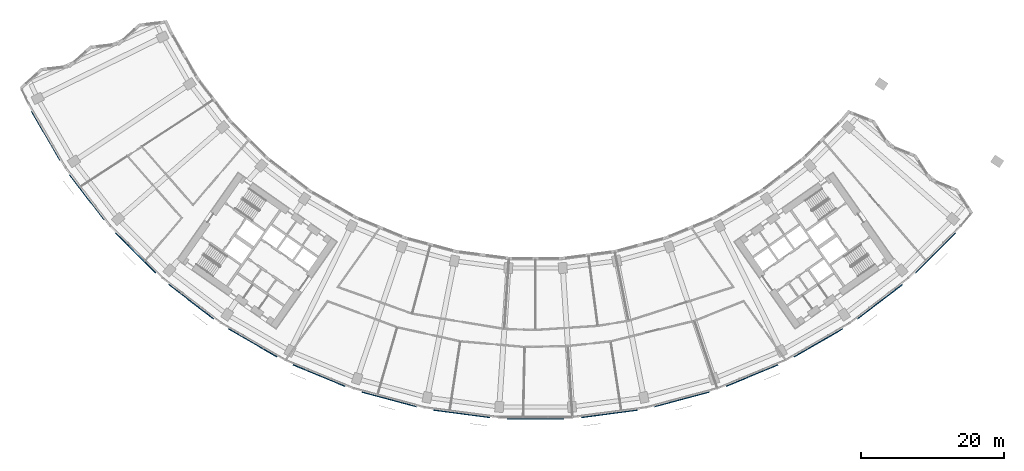
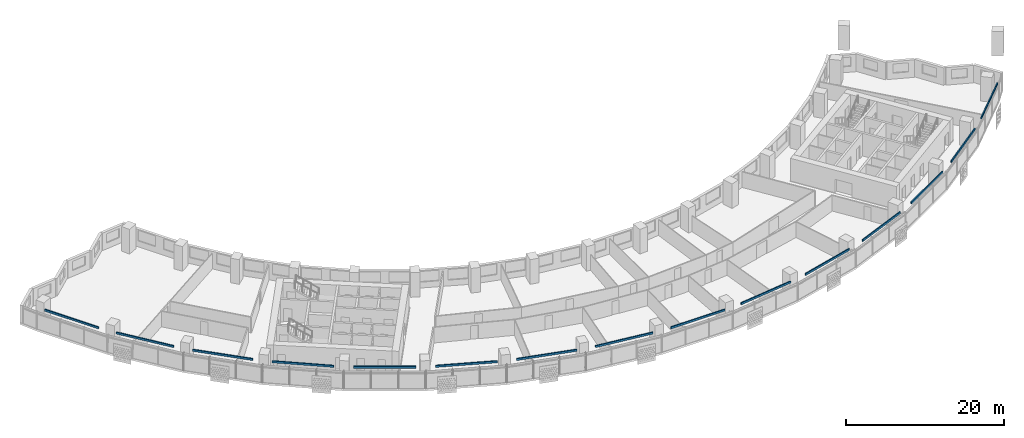
# One storey, part 9 of 29: 15 discrete accessories.
"""IFC4 building model written with IfcOpenShell, lengths in metres."""

import ifcopenshell
import ifcopenshell.guid

model = None  # the IFC model being written
_history = None  # IfcOwnerHistory: only IFC2X3 demands one
_inside = {}  # id of a spatial element -> (the spatial element, [elements in it])
_under = {}  # id of a project, library or spatial element -> (it, [spatial elements below it])
_declared = {}  # id of a project -> (the project, [libraries it declares])
_typed = {}  # id of a type object -> (the type object, [elements of that type])
_made_of = {}  # id of a material, layer set ... -> (it, [elements and type objects made of it])


def new_model(schema):
    """Start an empty IFC model of exactly this schema.

    Asked for "IFC4X3", IfcOpenShell would pick the latest addendum, in which some entities
    have other attributes; the version numbers below select the first issue.
    IFC2X3 requires an IfcOwnerHistory on every rooted entity: one is made here for all.
    """
    global model, _history
    if schema == "IFC4X3":
        model = ifcopenshell.file(schema_version=(4, 3, 0, 0))
    else:
        model = ifcopenshell.file(schema=schema)
    _inside.clear()
    _under.clear()
    _declared.clear()
    _typed.clear()
    _made_of.clear()
    _history = None
    if model.schema == "IFC2X3":
        org = make("IfcOrganization", Name="unknown")
        user = make(
            "IfcPersonAndOrganization",
            ThePerson=make("IfcPerson", FamilyName="unknown"),
            TheOrganization=org,
        )
        app = make(
            "IfcApplication",
            ApplicationDeveloper=org,
            Version="unknown",
            ApplicationFullName="unknown",
            ApplicationIdentifier="unknown",
        )
        _history = make(
            "IfcOwnerHistory",
            OwningUser=user,
            OwningApplication=app,
            ChangeAction="ADDED",
            CreationDate=0,
        )
    return model


def make(cls, **values):
    """One entity of the class cls with the attributes given. An attribute that is None is left unset."""
    return model.create_entity(
        cls, **{name: value for name, value in values.items() if value is not None}
    )


def rooted(cls, **values):
    """An entity with a GlobalId (a new one), such as an element, a storey or a relation."""
    return make(cls, GlobalId=ifcopenshell.guid.new(), OwnerHistory=_history, **values)


def si_unit(unit_type, name, prefix=None):
    """IfcSIUnit, for example si_unit("LENGTHUNIT", "METRE", prefix="MILLI")."""
    return make("IfcSIUnit", UnitType=unit_type, Prefix=prefix, Name=name)


def assignment(units):
    """IfcUnitAssignment: the units of a project."""
    return None if units is None else make("IfcUnitAssignment", Units=units)


def point(xyz):
    """IfcCartesianPoint."""
    return None if xyz is None else make("IfcCartesianPoint", Coordinates=xyz)


def direction(xyz):
    """IfcDirection."""
    return None if xyz is None else make("IfcDirection", DirectionRatios=xyz)


def frame(location, z_axis=None, x_axis=None):
    """IfcAxis2Placement3D, a coordinate frame: its origin and axes. An axis left out is left unset."""
    return make(
        "IfcAxis2Placement3D",
        Location=point(location),
        Axis=direction(z_axis),
        RefDirection=direction(x_axis),
    )


def frame_2d(location, x_axis=None):
    """IfcAxis2Placement2D, a coordinate frame in the plane: its origin and x axis."""
    return make(
        "IfcAxis2Placement2D", Location=point(location), RefDirection=direction(x_axis)
    )


def origin():
    """The frame at (0, 0, 0) with its axes left unset."""
    return frame((0.0, 0.0, 0.0))


def origin_2d():
    """The frame at (0, 0) in the plane with its x axis left unset."""
    return frame_2d((0.0, 0.0))


def place(relative_to, where):
    """IfcLocalPlacement: puts the frame where relative to a parent placement (None: the world)."""
    return make(
        "IfcLocalPlacement", PlacementRelTo=relative_to, RelativePlacement=where
    )


def context(
    kind, dimensions, precision=None, world=None, true_north=None, identifier=None
):
    """IfcGeometricRepresentationContext, for example the 3D "Model" context."""
    return make(
        "IfcGeometricRepresentationContext",
        ContextIdentifier=identifier,
        ContextType=kind,
        CoordinateSpaceDimension=dimensions,
        Precision=precision,
        WorldCoordinateSystem=world,
        TrueNorth=true_north,
    )


def subcontext(parent, identifier, kind, view, scale=None):
    """IfcGeometricRepresentationSubContext, for example "Body" below "Model"."""
    return make(
        "IfcGeometricRepresentationSubContext",
        ContextIdentifier=identifier,
        ContextType=kind,
        ParentContext=parent,
        TargetScale=scale,
        TargetView=view,
    )


def project(units=None, contexts=None):
    """IfcProject with its units and contexts."""
    return rooted(
        "IfcProject",
        Name="project",
        RepresentationContexts=contexts,
        UnitsInContext=assignment(units),
    )


def spatial(cls, under=None, at=None, **own):
    """A site, building, storey or space (cls), placed at a placement, below another one or the project."""
    s = rooted(cls, ObjectPlacement=at, **own)
    if under is not None:
        _under.setdefault(under.id(), (under, []))[1].append(s)
    return s


def profile(cls, at=None, kind="AREA", **sizes):
    """A parametric profile (cls). Its sizes go by their IFC names, for example OverallWidth=200.0."""
    return make(cls, ProfileType=kind, Position=at, **sizes)


def rectangle(**sizes):
    """IfcRectangleProfileDef."""
    return profile("IfcRectangleProfileDef", **sizes)


def extrude(swept, where, along, depth):
    """IfcExtrudedAreaSolid: the profile swept, set in the frame where, extruded along a direction by depth."""
    return make(
        "IfcExtrudedAreaSolid",
        SweptArea=swept,
        Position=where,
        ExtrudedDirection=direction(along),
        Depth=depth,
    )


def shape(context_of_items, identifier, shape_type, items):
    """IfcShapeRepresentation: the items that make up one representation, for example the "Body"."""
    return make(
        "IfcShapeRepresentation",
        ContextOfItems=context_of_items,
        RepresentationIdentifier=identifier,
        RepresentationType=shape_type,
        Items=items,
    )


def material(Name=None, Category=None):
    """IfcMaterial."""
    return make("IfcMaterial", Name=Name, Category=Category)


def made_of(thing, what):
    """Note that an element or type object is made of a material, layer set ...; save() writes the relation."""
    if what is not None:
        _made_of.setdefault(what.id(), (what, []))[1].append(thing)
    return thing


def type_object(cls, material=None, **own):
    """A type object (cls), such as IfcWallType, which elements share."""
    return made_of(rooted(cls, **own), material)


def element(
    cls,
    number,
    at=None,
    inside=None,
    cuts=None,
    type_object=None,
    material=None,
    context=None,
    identifier="Body",
    shape_type=None,
    held_by="IfcProductDefinitionShape",
    body=None,
    shapes=None,
    **own,
):
    """One element of the class cls, such as IfcWall. Its Tag is "e" and its number.

    at: its placement. inside: the storey or other place that contains it. cuts: it is an
    opening in that element (IfcRelVoidsElement). A single representation is given by context,
    identifier, shape_type and body (its items); several are given by shapes. held_by: the class
    of the entity that holds the representations. save() writes the other relations.
    """
    e = rooted(cls, Tag="e%d" % number, ObjectPlacement=at, **own)
    if body is not None:
        shapes = [shape(context, identifier, shape_type, body)]
    if shapes is not None:
        e.Representation = make(held_by, Representations=shapes)
    if inside is not None:
        _inside.setdefault(inside.id(), (inside, []))[1].append(e)
    if cuts is not None:
        rooted(
            "IfcRelVoidsElement", RelatingBuildingElement=cuts, RelatedOpeningElement=e
        )
    if type_object is not None:
        _typed.setdefault(type_object.id(), (type_object, []))[1].append(e)
    return made_of(e, material)


def aggregate(whole, parts):
    """IfcRelAggregates: a whole, such as a stair, and the parts it consists of."""
    return rooted("IfcRelAggregates", RelatingObject=whole, RelatedObjects=parts)


def save(model, path):
    """Write the relations noted so far, then the file.

    IfcRelAggregates (storeys below a building ...), IfcRelContainedInSpatialStructure (elements
    in a storey), IfcRelDefinesByType, IfcRelAssociatesMaterial and IfcRelDeclares: one each for
    every whole, place, type object, material and project.
    """
    for whole, parts in _under.values():
        aggregate(whole, parts)
    for where, things in _inside.values():
        rooted(
            "IfcRelContainedInSpatialStructure",
            RelatedElements=things,
            RelatingStructure=where,
        )
    for kind, things in _typed.values():
        rooted("IfcRelDefinesByType", RelatedObjects=things, RelatingType=kind)
    for what, things in _made_of.values():
        rooted("IfcRelAssociatesMaterial", RelatedObjects=things, RelatingMaterial=what)
    for by, libraries in _declared.values():
        rooted("IfcRelDeclares", RelatingContext=by, RelatedDefinitions=libraries)
    model.write(path)


model = new_model("IFC4")

# Units and contexts
model_context = context("Model", 3, precision=1e-05, world=origin(), true_north=direction((0.0, 1.0)))
body_context = subcontext(model_context, "Body", "Model", "MODEL_VIEW")
ifc_project = project(units=[si_unit("LENGTHUNIT", "METRE"), si_unit("AREAUNIT", "SQUARE_METRE"), si_unit("VOLUMEUNIT", "CUBIC_METRE"), si_unit("PLANEANGLEUNIT", "RADIAN"), si_unit("MASSUNIT", "GRAM", prefix="KILO")], contexts=[model_context])

# Site, building, storey
site_placement = place(None, origin())
site = spatial("IfcSite", under=ifc_project, at=site_placement, CompositionType="ELEMENT")
building_placement = place(site_placement, origin())
building = spatial("IfcBuilding", under=site, at=building_placement, Name="Qamariyya Broadcast Tower", CompositionType="ELEMENT")
storey_placement = place(building_placement, frame((0.0, 0.0, 113.89990234375)))
storey = spatial("IfcBuildingStorey", under=building, at=storey_placement, Name="L25", CompositionType="ELEMENT", Elevation=113.89990234375)

# Discrete accessories
ifc_material = material(Name="Stainless steel 316", Category="steel")
discrete_accessory_type = type_object("IfcDiscreteAccessoryType", Name="Slab edge fixing angle, stainless steel", PredefinedType="BRACKET", material=ifc_material)
for number, where, z_axis, x_axis, name in (
    (1, (-68.59375, -39.6025390625, 3.30029296875), (0.0, 0.0, 1.0), (0.5, -0.866025403784, 0.0), "e-br-L25-01-0"),
    (2, (-62.837646484375, -48.217041015625, 3.30029296875), (0.0, 0.0, 1.0), (0.608761429009, -0.793353340291, 0.0), "e-br-L25-02-0"),
    (3, (-56.006591796875, -56.006591796875, 3.30029296875), (0.0, 0.0, 1.0), (0.707106781187, -0.707106781187, 0.0), "e-br-L25-03-0"),
    (4, (-48.217041015625, -62.837646484375, 3.30029296875), (0.0, 0.0, 1.0), (0.793353340291, -0.608761429009, 0.0), "e-br-L25-04-0"),
    (5, (-39.6025390625, -68.59375, 3.30029296875), (0.0, 0.0, 1.0), (0.866025403784, -0.5, 0.0), "e-br-L25-05-0"),
    (6, (-30.310546875, -73.176025390625, 3.30029296875), (0.0, 0.0, 1.0), (0.923879532511, -0.382683432365, 0.0), "e-br-L25-06-0"),
    (7, (-20.499755859375, -76.50634765625, 3.30029296875), (0.0, 0.0, 1.0), (0.965925826289, -0.258819045103, 0.0), "e-br-L25-07-0"),
    (8, (-10.33837890625, -78.527587890625, 3.30029296875), (0.0, 0.0, 1.0), (0.991444861374, -0.13052619222, 0.0), "e-br-L25-08-0"),
    (9, (0.0, -79.205322265625, 3.30029296875), (0.0, 0.0, 1.0), (1.0, 0.0, 0.0), "e-br-L25-09-0"),
    (10, (10.33837890625, -78.527587890625, 3.30029296875), (0.0, 0.0, 1.0), (0.991444861374, 0.13052619222, 0.0), "e-br-L25-10-0"),
    (11, (20.499755859375, -76.50634765625, 3.30029296875), (0.0, 0.0, 1.0), (0.965925826289, 0.258819045103, 0.0), "e-br-L25-11-0"),
    (12, (30.310546875, -73.176025390625, 3.30029296875), (0.0, 0.0, 1.0), (0.923879532511, 0.382683432365, 0.0), "e-br-L25-12-0"),
    (13, (39.6025390625, -68.59375, 3.30029296875), (0.0, 0.0, 1.0), (0.866025403784, 0.5, 0.0), "e-br-L25-13-0"),
    (14, (48.217041015625, -62.837646484375, 3.30029296875), (0.0, 0.0, 1.0), (0.793353340291, 0.608761429009, 0.0), "e-br-L25-14-0"),
    (15, (56.006591796875, -56.006591796875, 3.30029296875), (0.0, 0.0, 1.0), (0.707106781187, 0.707106781187, 0.0), "e-br-L25-15-0"),
):
    element("IfcDiscreteAccessory", number, at=place(storey_placement, frame(where, z_axis=z_axis, x_axis=x_axis)), inside=storey, type_object=discrete_accessory_type, Name=name, PredefinedType="BRACKET", context=body_context, shape_type="SweptSolid", body=[
        extrude(rectangle(XDim=7.879638671875, YDim=0.14990234375, at=origin_2d()), origin(), (0.0, 0.0, 1.0), 0.300048828125),
    ])

save(model, "model.ifc")
